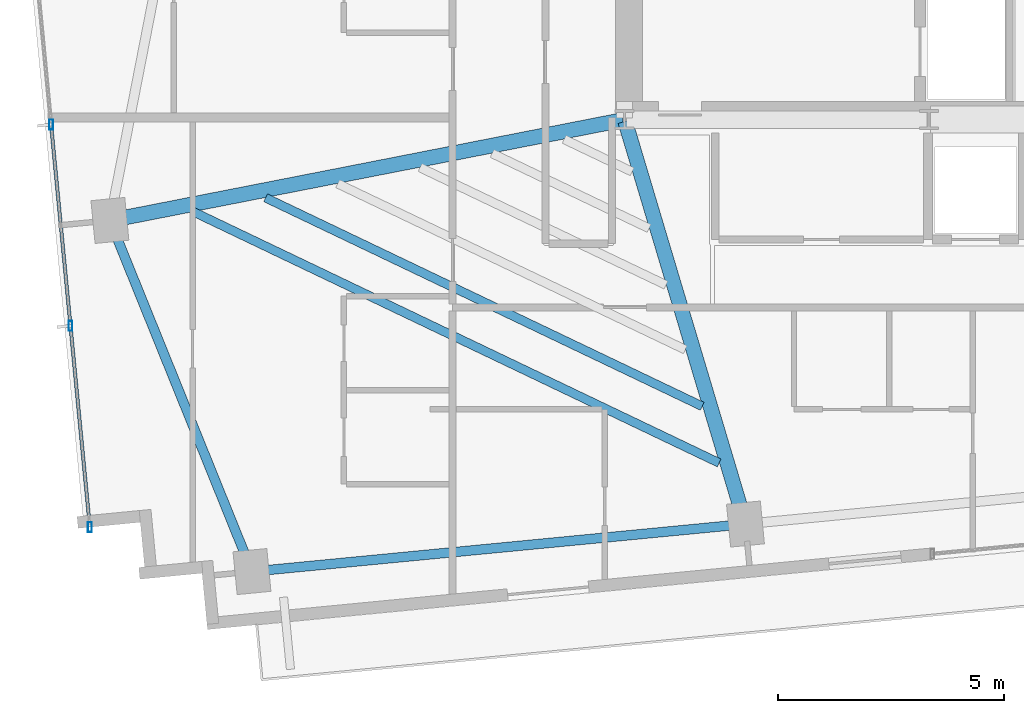
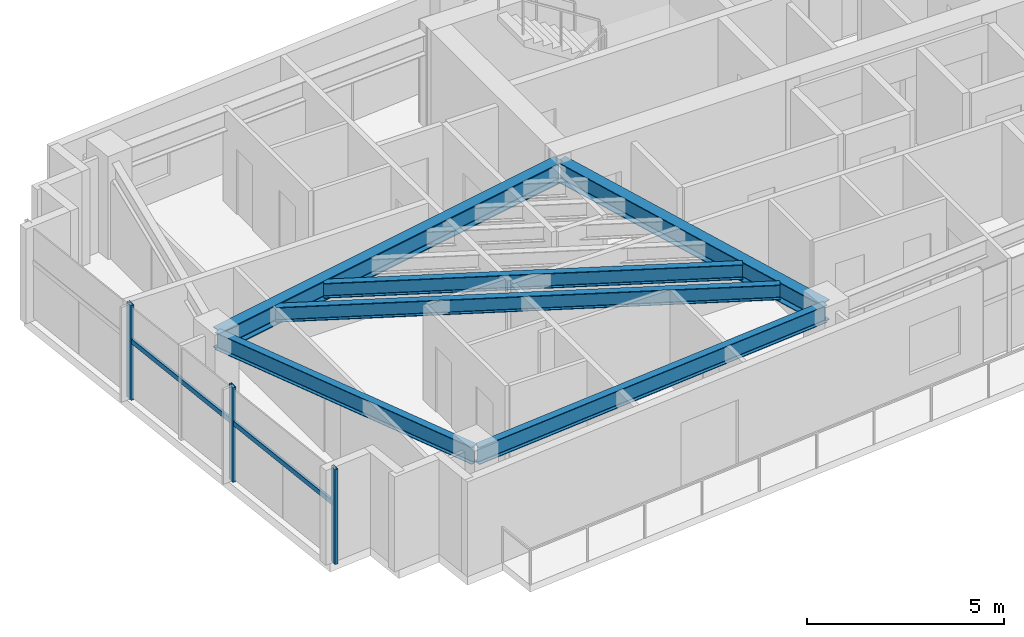
# One storey, part 2 of 18: 6 beams, 5 members, 1 element without a shape of its own.
"""IFC4 building model written with IfcOpenShell, lengths in metres."""

from ifc_helpers import new_model, si_unit, direction, frame, origin, origin_2d, place, context, subcontext, project, spatial, hollow_rectangle, i_section, extrude, source, transform, mapped, material, material_profile, profile_set, type_object, type_shapes, element, aggregate, save


model = new_model("IFC4")

# Units and contexts
model_context = context("Model", 3, precision=1e-05, world=origin(), true_north=direction((0.0, 1.0)))
body_context = subcontext(model_context, "Body", "Model", "MODEL_VIEW")
ifc_project = project(units=[si_unit("LENGTHUNIT", "METRE"), si_unit("AREAUNIT", "SQUARE_METRE"), si_unit("VOLUMEUNIT", "CUBIC_METRE"), si_unit("PLANEANGLEUNIT", "RADIAN"), si_unit("MASSUNIT", "GRAM", prefix="KILO")], contexts=[model_context])

# Site, building, storey
site_placement = place(None, origin())
site = spatial("IfcSite", under=ifc_project, at=site_placement, CompositionType="ELEMENT")
building_placement = place(site_placement, origin())
building = spatial("IfcBuilding", under=site, at=building_placement, Name="Astriad Promenade Condominiums", CompositionType="ELEMENT")
storey_placement = place(building_placement, frame((0.0, 0.0, 179.39990234375)))
storey = spatial("IfcBuildingStorey", under=building, at=storey_placement, Name="L51", CompositionType="ELEMENT", Elevation=179.39990234375)

# Beams
ifc_material_1 = material(Name="Steel ASTM A992 Grade 50", Category="steel")
ifc_material_profile_1 = material_profile(ifc_material_1, i_section(OverallWidth=0.210693359375, OverallDepth=0.53955078125, WebThickness=0.01171875, FlangeThickness=0.018798828125, FilletRadius=0.0166015625, at=origin_2d()), Name="W21X73")
ifc_profile_set_1 = profile_set([ifc_material_profile_1], Name="Steel ASTM A992 Grade 50")
beam_type_1 = type_object("IfcBeamType", Name="STEEL SPANDREL BEAM W21X73", PredefinedType="SPANDREL", material=ifc_profile_set_1)
shared_shape_1 = source(origin(), body_context, "Body", "SweptSolid", [
    extrude(i_section(OverallWidth=0.210693359375, OverallDepth=0.53955078125, WebThickness=0.01171875, FlangeThickness=0.018798828125, FilletRadius=0.0166015625, at=origin_2d()), origin(), (0.0, 0.0, 1.0), 10.8701171875),
])
beam_1_placement = place(storey_placement, frame((18.209228515625, 7.421630859375, 2.67041015625), z_axis=(0.995394986184, 0.09585834069, 0.0), x_axis=(-0.09585834069, 0.995394986184, 0.0)))
element("IfcBeam", 1, at=beam_1_placement, inside=storey, type_object=beam_type_1, Name="Perimeter Spandrel Beam SP-S1-L51", PredefinedType="SPANDREL", context=body_context, shape_type="MappedRepresentation", body=[
    mapped(shared_shape_1, transform((0.0, 0.0, 0.0), scale=1.0)),
])
shared_shape_2 = source(origin(), body_context, "Body", "SweptSolid", [
    extrude(i_section(OverallWidth=0.210693359375, OverallDepth=0.53955078125, WebThickness=0.01171875, FlangeThickness=0.018798828125, FilletRadius=0.0166015625, at=origin_2d()), origin(), (0.0, 0.0, 1.0), 8.28564453125),
])
type_shapes(beam_type_1, [shared_shape_1, shared_shape_2])
beam_2_placement = place(storey_placement, frame((15.046875, 15.1357421875, 2.67041015625), z_axis=(0.375070987134, -0.926996092014, 0.0), x_axis=(0.926996092014, 0.375070987134, 0.0)))
element("IfcBeam", 2, at=beam_2_placement, inside=storey, type_object=beam_type_1, Name="Perimeter Spandrel Beam SP-W1-L51", PredefinedType="SPANDREL", context=body_context, shape_type="MappedRepresentation", body=[
    mapped(shared_shape_2, transform((0.0, 0.0, 0.0), scale=1.0)),
])
ifc_material_profile_2 = material_profile(ifc_material_1, i_section(OverallWidth=0.327392578125, OverallDepth=0.640625, WebThickness=0.01904296875, FlangeThickness=0.033935546875, FilletRadius=0.017822265625, at=origin_2d()), Name="W24X176")
ifc_profile_set_2 = profile_set([ifc_material_profile_2], Name="Steel ASTM A992 Grade 50")
beam_type_2 = type_object("IfcBeamType", Name="STEEL FLOOR GIRDER W24X176", PredefinedType="BEAM", material=ifc_profile_set_2)
shared_shape_3 = source(origin(), body_context, "Body", "SweptSolid", [
    extrude(i_section(OverallWidth=0.327392578125, OverallDepth=0.640625, WebThickness=0.01904296875, FlangeThickness=0.033935546875, FilletRadius=0.017822265625, at=origin_2d()), origin(), (0.0, 0.0, 1.0), 11.504150390625),
])
type_shapes(beam_type_2, [shared_shape_3])
beam_3_placement = place(storey_placement, frame((15.071044921875, 15.1806640625, 2.619873046875), z_axis=(0.981346028441, 0.192249765833, 0.0), x_axis=(-0.192249765833, 0.981346028441, 0.0)))
element("IfcBeam", 3, at=beam_3_placement, inside=storey, type_object=beam_type_2, Name="Primary Floor Girder PG-WM-L51", PredefinedType="BEAM", context=body_context, shape_type="MappedRepresentation", body=[
    mapped(shared_shape_3, transform((0.0, 0.0, 0.0), scale=1.0)),
])
ifc_material_profile_3 = material_profile(ifc_material_1, i_section(OverallWidth=0.326416015625, OverallDepth=0.621826171875, WebThickness=0.015380859375, FlangeThickness=0.0244140625, FilletRadius=0.017822265625, at=origin_2d()), Name="W24X131")
ifc_profile_set_3 = profile_set([ifc_material_profile_3], Name="Steel ASTM A992 Grade 50")
beam_type_3 = type_object("IfcBeamType", Name="STEEL FLOOR GIRDER W24X131", PredefinedType="BEAM", material=ifc_profile_set_3)
shared_shape_4 = source(origin(), body_context, "Body", "SweptSolid", [
    extrude(i_section(OverallWidth=0.326416015625, OverallDepth=0.621826171875, WebThickness=0.015380859375, FlangeThickness=0.0244140625, FilletRadius=0.017822265625, at=origin_2d()), origin(), (0.0, 0.0, 1.0), 9.242919921875),
])
type_shapes(beam_type_3, [shared_shape_4])
beam_4_placement = place(storey_placement, frame((29.0576171875, 8.505615234375, 2.629150390625), z_axis=(-0.286269354745, 0.958149182818, 0.0), x_axis=(-0.958149182818, -0.286269354745, 0.0)))
element("IfcBeam", 4, at=beam_4_placement, inside=storey, type_object=beam_type_3, Name="Primary Floor Girder PG-W2-L51", PredefinedType="BEAM", context=body_context, shape_type="MappedRepresentation", body=[
    mapped(shared_shape_4, transform((0.0, 0.0, 0.0), scale=1.0)),
])
ifc_material_profile_4 = material_profile(ifc_material_1, i_section(OverallWidth=0.19287109375, OverallDepth=0.466064453125, WebThickness=0.011474609375, FlangeThickness=0.01904296875, FilletRadius=0.01513671875, at=origin_2d()), Name="W18X65")
ifc_profile_set_4 = profile_set([ifc_material_profile_4], Name="Steel ASTM A992 Grade 50")
beam_type_4 = type_object("IfcBeamType", Name="STEEL FLOOR JOIST W18X65", PredefinedType="JOIST", material=ifc_profile_set_4)
shared_shape_5 = source(origin(), body_context, "Body", "SweptSolid", [
    extrude(i_section(OverallWidth=0.19287109375, OverallDepth=0.466064453125, WebThickness=0.011474609375, FlangeThickness=0.01904296875, FilletRadius=0.01513671875, at=origin_2d()), origin(), (0.0, 0.0, 1.0), 12.864013671875),
])
beam_5_placement = place(storey_placement, frame((16.8798828125, 15.362060546875, 2.70703125), z_axis=(0.902332932985, -0.431039763886, 0.0), x_axis=(0.431039763886, 0.902332932985, 0.0)))
element("IfcBeam", 5, at=beam_5_placement, inside=storey, type_object=beam_type_4, Name="Secondary Composite Floor Joist JW1-1-L51", PredefinedType="JOIST", context=body_context, shape_type="MappedRepresentation", body=[
    mapped(shared_shape_5, transform((0.0, 0.0, 0.0), scale=1.0)),
])
shared_shape_6 = source(origin(), body_context, "Body", "SweptSolid", [
    extrude(i_section(OverallWidth=0.19287109375, OverallDepth=0.466064453125, WebThickness=0.011474609375, FlangeThickness=0.01904296875, FilletRadius=0.01513671875, at=origin_2d()), origin(), (0.0, 0.0, 1.0), 10.686279296875),
])
type_shapes(beam_type_4, [shared_shape_5, shared_shape_6])
beam_6_placement = place(storey_placement, frame((18.471435546875, 15.673828125, 2.70703125), z_axis=(0.902342124644, -0.431020521661, 0.0), x_axis=(0.431020521661, 0.902342124644, 0.0)))
element("IfcBeam", 6, at=beam_6_placement, inside=storey, type_object=beam_type_4, Name="Secondary Composite Floor Joist JW1-2-L51", PredefinedType="JOIST", context=body_context, shape_type="MappedRepresentation", body=[
    mapped(shared_shape_6, transform((0.0, 0.0, 0.0), scale=1.0)),
])

# Curtain wall, members
ifc_material_2 = material(Name="Anodised aluminium Black Dark Glass Unitised", Category="aluminium")
curtain_wall_type = type_object("IfcCurtainWallType", Name="CW-B34-DARK", PredefinedType="USERDEFINED", material=ifc_material_2)
curtain_wall_placement = place(storey_placement, origin())
curtain_wall = element("IfcCurtainWall", 7, at=curtain_wall_placement, inside=storey, type_object=curtain_wall_type, Name="CW-L51-W", ObjectType="UNITISED_CURTAIN_WALL", PredefinedType="USERDEFINED")
ifc_material_3 = material(Name="Anodised aluminium 6063-T6 Black", Category="aluminium")
ifc_material_profile_5 = material_profile(ifc_material_3, hollow_rectangle(XDim=0.0849609375, YDim=0.219970703125, WallThickness=0.0048828125, at=origin_2d()), Name="ALU-MUL-85X220")
ifc_profile_set_5 = profile_set([ifc_material_profile_5], Name="Anodised aluminium 6063-T6 Black")
member_type_1 = type_object("IfcMemberType", Name="MUL-ALU-MUL-85X220", PredefinedType="MULLION", material=ifc_profile_set_5)
shared_shape_7 = source(origin(), body_context, "Body", "SweptSolid", [
    extrude(hollow_rectangle(XDim=0.0849609375, YDim=0.219970703125, WallThickness=0.0048828125, at=origin_2d()), origin(), (0.0, 0.0, 1.0), 2.940185546875),
])
type_shapes(member_type_1, [shared_shape_7])
member_1_placement = place(storey_placement, frame((14.589111328125, 8.3994140625, 0.0), z_axis=(0.0, 0.0, 1.0), x_axis=(1.0, 0.0, 0.0)))
member_1 = element("IfcMember", 8, at=member_1_placement, type_object=member_type_1, Name="CW-L51-W-MUL-00", PredefinedType="MULLION", context=body_context, shape_type="MappedRepresentation", body=[
    mapped(shared_shape_7, transform((0.0, 0.0, 0.0), scale=1.0)),
])
member_2_placement = place(storey_placement, frame((14.160888671875, 12.845458984375, 0.0), z_axis=(0.0, 0.0, 1.0), x_axis=(1.0, 0.0, 0.0)))
member_2 = element("IfcMember", 9, at=member_2_placement, type_object=member_type_1, Name="CW-L51-W-MUL-01", PredefinedType="MULLION", context=body_context, shape_type="MappedRepresentation", body=[
    mapped(shared_shape_7, transform((0.0, 0.0, 0.0), scale=1.0)),
])
member_3_placement = place(storey_placement, frame((13.732666015625, 17.29150390625, 0.0), z_axis=(0.0, 0.0, 1.0), x_axis=(1.0, 0.0, 0.0)))
member_3 = element("IfcMember", 10, at=member_3_placement, type_object=member_type_1, Name="CW-L51-W-MUL-02", PredefinedType="MULLION", context=body_context, shape_type="MappedRepresentation", body=[
    mapped(shared_shape_7, transform((0.0, 0.0, 0.0), scale=1.0)),
])
ifc_material_profile_6 = material_profile(ifc_material_3, hollow_rectangle(XDim=0.074951171875, YDim=0.14990234375, WallThickness=0.004150390625, at=origin_2d()), Name="ALU-TRN-75X150")
ifc_profile_set_6 = profile_set([ifc_material_profile_6], Name="Anodised aluminium 6063-T6 Black")
member_type_2 = type_object("IfcMemberType", Name="TRN-ALU-TRN-75X150", PredefinedType="USERDEFINED", material=ifc_profile_set_6)
shared_shape_8 = source(origin(), body_context, "Body", "SweptSolid", [
    extrude(hollow_rectangle(XDim=0.074951171875, YDim=0.14990234375, WallThickness=0.004150390625, at=origin_2d()), origin(), (0.0, 0.0, 1.0), 4.466552734375),
])
type_shapes(member_type_2, [shared_shape_8])
member_4_placement = place(storey_placement, frame((14.589111328125, 8.3994140625, 1.822998046875), z_axis=(-0.095871755514, 0.995393694221, 0.0), x_axis=(-0.995393694221, -0.095871755514, 0.0)))
member_4 = element("IfcMember", 11, at=member_4_placement, type_object=member_type_2, Name="CW-L51-W-TRN-00-0", ObjectType="TRANSOM", PredefinedType="USERDEFINED", context=body_context, shape_type="MappedRepresentation", body=[
    mapped(shared_shape_8, transform((0.0, 0.0, 0.0), scale=1.0)),
])
member_5_placement = place(storey_placement, frame((14.160888671875, 12.845458984375, 1.822998046875), z_axis=(-0.095871755514, 0.995393694221, 0.0), x_axis=(-0.995393694221, -0.095871755514, 0.0)))
member_5 = element("IfcMember", 12, at=member_5_placement, type_object=member_type_2, Name="CW-L51-W-TRN-01-0", ObjectType="TRANSOM", PredefinedType="USERDEFINED", context=body_context, shape_type="MappedRepresentation", body=[
    mapped(shared_shape_8, transform((0.0, 0.0, 0.0), scale=1.0)),
])
aggregate(curtain_wall, [member_1, member_2, member_3, member_4, member_5])

save(model, "model.ifc")
